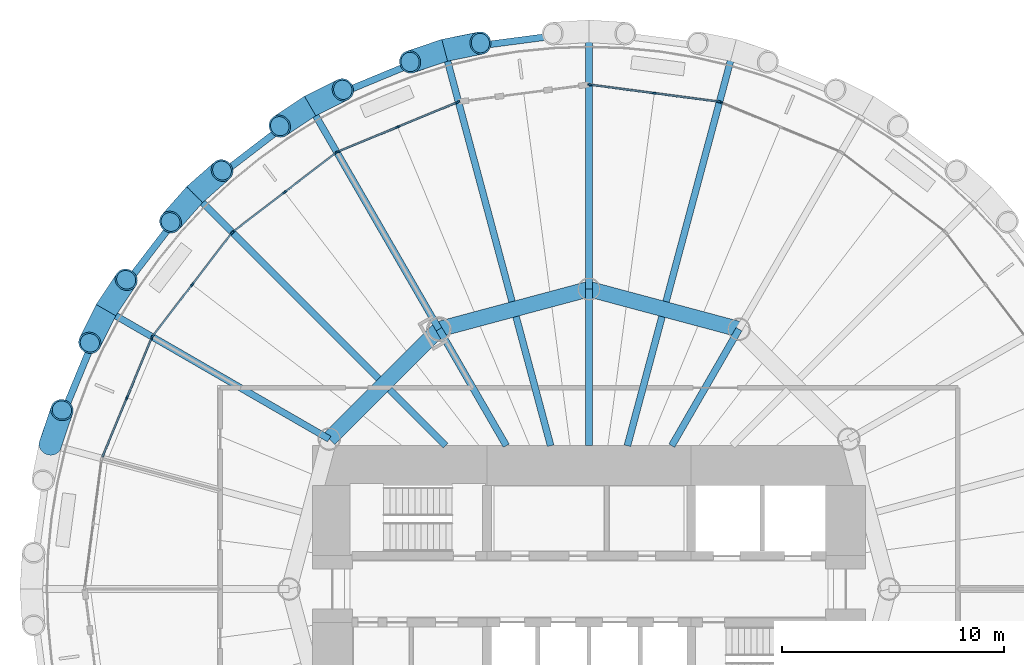
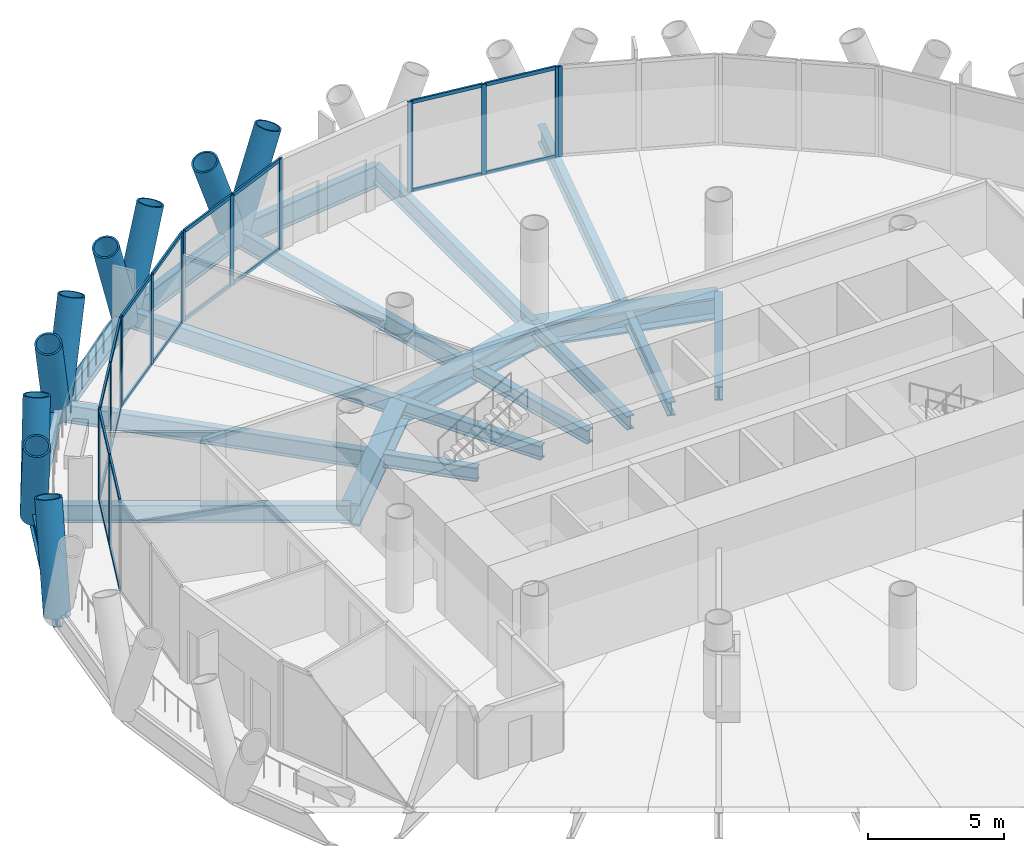
# One storey, part 5 of 14: 44 members, 20 beams, 6 elements without a shape of their own.
"""IFC4 building model written with IfcOpenShell, lengths in metres."""

from ifc_helpers import new_model, si_unit, direction, frame, origin, origin_2d, place, context, subcontext, project, spatial, rectangle, hollow_circle, i_section, extrude, material, material_profile, profile_set, type_object, element, aggregate, save


model = new_model("IFC4")

# Units and contexts
model_context = context("Model", 3, precision=1e-05, world=origin(), true_north=direction((0.0, 1.0)))
body_context = subcontext(model_context, "Body", "Model", "MODEL_VIEW")
ifc_project = project(units=[si_unit("LENGTHUNIT", "METRE"), si_unit("AREAUNIT", "SQUARE_METRE"), si_unit("VOLUMEUNIT", "CUBIC_METRE"), si_unit("PLANEANGLEUNIT", "RADIAN"), si_unit("MASSUNIT", "GRAM", prefix="KILO")], contexts=[model_context])

# Site, building, storey
site_placement = place(None, origin())
site = spatial("IfcSite", under=ifc_project, at=site_placement, CompositionType="ELEMENT")
building_placement = place(site_placement, origin())
building = spatial("IfcBuilding", under=site, at=building_placement, Name="Qaws Media Tower", CompositionType="ELEMENT")
storey_placement = place(building_placement, frame((0.0, 0.0, 126.800048828125)))
storey = spatial("IfcBuildingStorey", under=building, at=storey_placement, Name="L28", CompositionType="ELEMENT", Elevation=126.800048828125)

# Curtain wall, member
ifc_material_1 = material(Name="Aluminium and clear glass", Category="aluminium")
curtain_wall_type = type_object("IfcCurtainWallType", Name="Unitised curtain wall CW-B", PredefinedType="NOTDEFINED", material=ifc_material_1)
curtain_wall_1_placement = place(storey_placement, origin())
curtain_wall_1 = element("IfcCurtainWall", 1, at=curtain_wall_1_placement, inside=storey, type_object=curtain_wall_type, Name="CWB curtain wall L28-05", PredefinedType="NOTDEFINED")
ifc_material_2 = material(Name="Aluminium mullion", Category="aluminium")
ifc_material_profile_1 = material_profile(ifc_material_2, rectangle(XDim=0.080078125, YDim=0.199951171875, at=origin_2d()), Name="80x200")
ifc_profile_set_1 = profile_set([ifc_material_profile_1], Name="Aluminium mullion")
member_type_1 = type_object("IfcMemberType", Name="Curtain wall mullion 80x200", PredefinedType="MULLION", material=ifc_profile_set_1)
member_1_placement = place(storey_placement, frame((65.912109375, 71.9111328125, 0.0), z_axis=(0.0, 0.0, 1.0), x_axis=(-0.382683327941, -0.923879575765, 0.0)))
member_1 = element("IfcMember", 2, at=member_1_placement, type_object=member_type_1, Name="CWB mullion 3", PredefinedType="MULLION", context=body_context, shape_type="SweptSolid", body=[
    extrude(rectangle(XDim=0.080078125, YDim=0.199951171875, at=origin_2d()), origin(), (0.0, 0.0, 1.0), 4.0400390625),
])
aggregate(curtain_wall_1, [member_1])

# Curtain wall, members
curtain_wall_2_placement = place(storey_placement, origin())
curtain_wall_2 = element("IfcCurtainWall", 3, at=curtain_wall_2_placement, inside=storey, type_object=curtain_wall_type, Name="CWB curtain wall L28-06", PredefinedType="NOTDEFINED")
member_2_placement = place(storey_placement, frame((65.83544921875, 71.931640625, 0.0), z_axis=(0.0, 0.0, 1.0), x_axis=(-0.130526241882, -0.991444854836, 0.0)))
member_2 = element("IfcMember", 4, at=member_2_placement, type_object=member_type_1, Name="CWB mullion 1", PredefinedType="MULLION", context=body_context, shape_type="SweptSolid", body=[
    extrude(rectangle(XDim=0.080078125, YDim=0.199951171875, at=origin_2d()), origin(), (0.0, 0.0, 1.0), 4.0400390625),
])
member_3_placement = place(storey_placement, frame((62.9375, 72.313232421875, 0.0), z_axis=(0.0, 0.0, 1.0), x_axis=(-0.130526241882, -0.991444854836, 0.0)))
member_3 = element("IfcMember", 5, at=member_3_placement, type_object=member_type_1, Name="CWB mullion 2", PredefinedType="MULLION", context=body_context, shape_type="SweptSolid", body=[
    extrude(rectangle(XDim=0.080078125, YDim=0.199951171875, at=origin_2d()), origin(), (0.0, 0.0, 1.0), 4.0400390625),
])
member_4_placement = place(storey_placement, frame((60.03955078125, 72.69482421875, 0.0), z_axis=(0.0, 0.0, 1.0), x_axis=(-0.130526241882, -0.991444854836, 0.0)))
member_4 = element("IfcMember", 6, at=member_4_placement, type_object=member_type_1, Name="CWB mullion 3", PredefinedType="MULLION", context=body_context, shape_type="SweptSolid", body=[
    extrude(rectangle(XDim=0.080078125, YDim=0.199951171875, at=origin_2d()), origin(), (0.0, 0.0, 1.0), 4.0400390625),
])

curtain_wall_3_placement = place(storey_placement, origin())
curtain_wall_3 = element("IfcCurtainWall", 7, at=curtain_wall_3_placement, inside=storey, type_object=curtain_wall_type, Name="CWB curtain wall L28-08", PredefinedType="NOTDEFINED")
member_5_placement = place(storey_placement, frame((54.087890625, 71.9111328125, 0.0), z_axis=(0.0, 0.0, 1.0), x_axis=(0.382683327941, -0.923879575765, 0.0)))
member_5 = element("IfcMember", 8, at=member_5_placement, type_object=member_type_1, Name="CWB mullion 1", PredefinedType="MULLION", context=body_context, shape_type="SweptSolid", body=[
    extrude(rectangle(XDim=0.080078125, YDim=0.199951171875, at=origin_2d()), origin(), (0.0, 0.0, 1.0), 4.0400390625),
])
member_6_placement = place(storey_placement, frame((51.387451171875, 70.792724609375, 0.0), z_axis=(0.0, 0.0, 1.0), x_axis=(0.382683327941, -0.923879575765, 0.0)))
member_6 = element("IfcMember", 9, at=member_6_placement, type_object=member_type_1, Name="CWB mullion 2", PredefinedType="MULLION", context=body_context, shape_type="SweptSolid", body=[
    extrude(rectangle(XDim=0.080078125, YDim=0.199951171875, at=origin_2d()), origin(), (0.0, 0.0, 1.0), 4.0400390625),
])
member_7_placement = place(storey_placement, frame((48.68701171875, 69.674072265625, 0.0), z_axis=(0.0, 0.0, 1.0), x_axis=(0.382683327941, -0.923879575765, 0.0)))
member_7 = element("IfcMember", 10, at=member_7_placement, type_object=member_type_1, Name="CWB mullion 3", PredefinedType="MULLION", context=body_context, shape_type="SweptSolid", body=[
    extrude(rectangle(XDim=0.080078125, YDim=0.199951171875, at=origin_2d()), origin(), (0.0, 0.0, 1.0), 4.0400390625),
])

curtain_wall_4_placement = place(storey_placement, origin())
curtain_wall_4 = element("IfcCurtainWall", 11, at=curtain_wall_4_placement, inside=storey, type_object=curtain_wall_type, Name="CWB curtain wall L28-09", PredefinedType="NOTDEFINED")
member_8_placement = place(storey_placement, frame((48.6181640625, 69.634521484375, 0.0), z_axis=(0.0, 0.0, 1.0), x_axis=(0.608761451911, -0.793353322718, 0.0)))
member_8 = element("IfcMember", 12, at=member_8_placement, type_object=member_type_1, Name="CWB mullion 1", PredefinedType="MULLION", context=body_context, shape_type="SweptSolid", body=[
    extrude(rectangle(XDim=0.080078125, YDim=0.199951171875, at=origin_2d()), origin(), (0.0, 0.0, 1.0), 4.0400390625),
])
member_9_placement = place(storey_placement, frame((46.29931640625, 67.85498046875, 0.0), z_axis=(0.0, 0.0, 1.0), x_axis=(0.608761451911, -0.793353322718, 0.0)))
member_9 = element("IfcMember", 13, at=member_9_placement, type_object=member_type_1, Name="CWB mullion 2", PredefinedType="MULLION", context=body_context, shape_type="SweptSolid", body=[
    extrude(rectangle(XDim=0.080078125, YDim=0.199951171875, at=origin_2d()), origin(), (0.0, 0.0, 1.0), 4.0400390625),
])
member_10_placement = place(storey_placement, frame((43.98046875, 66.07568359375, 0.0), z_axis=(0.0, 0.0, 1.0), x_axis=(0.608761451911, -0.793353322718, 0.0)))
member_10 = element("IfcMember", 14, at=member_10_placement, type_object=member_type_1, Name="CWB mullion 3", PredefinedType="MULLION", context=body_context, shape_type="SweptSolid", body=[
    extrude(rectangle(XDim=0.080078125, YDim=0.199951171875, at=origin_2d()), origin(), (0.0, 0.0, 1.0), 4.0400390625),
])

curtain_wall_5_placement = place(storey_placement, origin())
curtain_wall_5 = element("IfcCurtainWall", 15, at=curtain_wall_5_placement, inside=storey, type_object=curtain_wall_type, Name="CWB curtain wall L28-10", PredefinedType="NOTDEFINED")
member_11_placement = place(storey_placement, frame((43.92431640625, 66.01953125, 0.0), z_axis=(0.0, 0.0, 1.0), x_axis=(0.793353322718, -0.608761451911, 0.0)))
member_11 = element("IfcMember", 16, at=member_11_placement, type_object=member_type_1, Name="CWB mullion 1", PredefinedType="MULLION", context=body_context, shape_type="SweptSolid", body=[
    extrude(rectangle(XDim=0.080078125, YDim=0.199951171875, at=origin_2d()), origin(), (0.0, 0.0, 1.0), 4.0400390625),
])
member_12_placement = place(storey_placement, frame((42.14501953125, 63.70068359375, 0.0), z_axis=(0.0, 0.0, 1.0), x_axis=(0.793353322718, -0.608761451911, 0.0)))
member_12 = element("IfcMember", 17, at=member_12_placement, type_object=member_type_1, Name="CWB mullion 2", PredefinedType="MULLION", context=body_context, shape_type="SweptSolid", body=[
    extrude(rectangle(XDim=0.080078125, YDim=0.199951171875, at=origin_2d()), origin(), (0.0, 0.0, 1.0), 4.0400390625),
])
member_13_placement = place(storey_placement, frame((40.365478515625, 61.3818359375, 0.0), z_axis=(0.0, 0.0, 1.0), x_axis=(0.793353322718, -0.608761451911, 0.0)))
member_13 = element("IfcMember", 18, at=member_13_placement, type_object=member_type_1, Name="CWB mullion 3", PredefinedType="MULLION", context=body_context, shape_type="SweptSolid", body=[
    extrude(rectangle(XDim=0.080078125, YDim=0.199951171875, at=origin_2d()), origin(), (0.0, 0.0, 1.0), 4.0400390625),
])

curtain_wall_6_placement = place(storey_placement, origin())
curtain_wall_6 = element("IfcCurtainWall", 19, at=curtain_wall_6_placement, inside=storey, type_object=curtain_wall_type, Name="CWB curtain wall L28-11", PredefinedType="NOTDEFINED")
member_14_placement = place(storey_placement, frame((40.325927734375, 61.31298828125, 0.0), z_axis=(0.0, 0.0, 1.0), x_axis=(0.923879575765, -0.382683327941, 0.0)))
member_14 = element("IfcMember", 20, at=member_14_placement, type_object=member_type_1, Name="CWB mullion 1", PredefinedType="MULLION", context=body_context, shape_type="SweptSolid", body=[
    extrude(rectangle(XDim=0.080078125, YDim=0.199951171875, at=origin_2d()), origin(), (0.0, 0.0, 1.0), 4.0400390625),
])
member_15_placement = place(storey_placement, frame((39.207275390625, 58.612548828125, 0.0), z_axis=(0.0, 0.0, 1.0), x_axis=(0.923879575765, -0.382683327941, 0.0)))
member_15 = element("IfcMember", 21, at=member_15_placement, type_object=member_type_1, Name="CWB mullion 2", PredefinedType="MULLION", context=body_context, shape_type="SweptSolid", body=[
    extrude(rectangle(XDim=0.080078125, YDim=0.199951171875, at=origin_2d()), origin(), (0.0, 0.0, 1.0), 4.0400390625),
])

# Member
ifc_material_3 = material(Name="Aluminium transom", Category="aluminium")
ifc_material_profile_2 = material_profile(ifc_material_3, rectangle(XDim=0.080078125, YDim=0.159912109375, at=origin_2d()), Name="80x160")
ifc_profile_set_2 = profile_set([ifc_material_profile_2], Name="Aluminium transom")
member_type_2 = type_object("IfcMemberType", Name="Curtain wall transom 80x160", PredefinedType="USERDEFINED", material=ifc_profile_set_2)
member_16_placement = place(storey_placement, frame((65.7958984375, 71.93701171875, 0.0400390625), z_axis=(-0.991444062143, 0.130532262837, 0.0), x_axis=(-0.130532262837, -0.991444062143, 0.0)))
member_16 = element("IfcMember", 22, at=member_16_placement, type_object=member_type_2, Name="CWB transom 1.1", ObjectType="TRANSOM", PredefinedType="USERDEFINED", context=body_context, shape_type="SweptSolid", body=[
    extrude(rectangle(XDim=0.080078125, YDim=0.159912109375, at=origin_2d()), origin(), (0.0, 0.0, 1.0), 2.843017578125),
])

member_17_placement = place(storey_placement, frame((65.7958984375, 71.93701171875, 4.0), z_axis=(-0.991444062143, 0.130532262837, 0.0), x_axis=(-0.130532262837, -0.991444062143, 0.0)))
member_17 = element("IfcMember", 23, at=member_17_placement, type_object=member_type_2, Name="CWB transom 1.2", ObjectType="TRANSOM", PredefinedType="USERDEFINED", context=body_context, shape_type="SweptSolid", body=[
    extrude(rectangle(XDim=0.080078125, YDim=0.159912109375, at=origin_2d()), origin(), (0.0, 0.0, 1.0), 2.843017578125),
])

member_18_placement = place(storey_placement, frame((62.89794921875, 72.318359375, 0.0400390625), z_axis=(-0.991444062143, 0.130532262837, 0.0), x_axis=(-0.130532262837, -0.991444062143, 0.0)))
member_18 = element("IfcMember", 24, at=member_18_placement, type_object=member_type_2, Name="CWB transom 2.1", ObjectType="TRANSOM", PredefinedType="USERDEFINED", context=body_context, shape_type="SweptSolid", body=[
    extrude(rectangle(XDim=0.080078125, YDim=0.159912109375, at=origin_2d()), origin(), (0.0, 0.0, 1.0), 2.843017578125),
])

member_19_placement = place(storey_placement, frame((62.89794921875, 72.318359375, 4.0), z_axis=(-0.991444062143, 0.130532262837, 0.0), x_axis=(-0.130532262837, -0.991444062143, 0.0)))
member_19 = element("IfcMember", 25, at=member_19_placement, type_object=member_type_2, Name="CWB transom 2.2", ObjectType="TRANSOM", PredefinedType="USERDEFINED", context=body_context, shape_type="SweptSolid", body=[
    extrude(rectangle(XDim=0.080078125, YDim=0.159912109375, at=origin_2d()), origin(), (0.0, 0.0, 1.0), 2.843017578125),
])

aggregate(curtain_wall_2, [member_2, member_3, member_4, member_16, member_17, member_18, member_19])

member_20_placement = place(storey_placement, frame((54.05078125, 71.89599609375, 0.0400390625), z_axis=(-0.923852493232, -0.382748704437, 0.0), x_axis=(0.382748704437, -0.923852493232, 0.0)))
member_20 = element("IfcMember", 26, at=member_20_placement, type_object=member_type_2, Name="CWB transom 1.1", ObjectType="TRANSOM", PredefinedType="USERDEFINED", context=body_context, shape_type="SweptSolid", body=[
    extrude(rectangle(XDim=0.080078125, YDim=0.159912109375, at=origin_2d()), origin(), (0.0, 0.0, 1.0), 2.843017578125),
])

member_21_placement = place(storey_placement, frame((54.05078125, 71.89599609375, 4.0), z_axis=(-0.923852493232, -0.382748704437, 0.0), x_axis=(0.382748704437, -0.923852493232, 0.0)))
member_21 = element("IfcMember", 27, at=member_21_placement, type_object=member_type_2, Name="CWB transom 1.2", ObjectType="TRANSOM", PredefinedType="USERDEFINED", context=body_context, shape_type="SweptSolid", body=[
    extrude(rectangle(XDim=0.080078125, YDim=0.159912109375, at=origin_2d()), origin(), (0.0, 0.0, 1.0), 2.843017578125),
])

member_22_placement = place(storey_placement, frame((51.350341796875, 70.77734375, 0.0400390625), z_axis=(-0.923882857314, -0.382675405483, 0.0), x_axis=(0.382675405483, -0.923882857314, 0.0)))
member_22 = element("IfcMember", 28, at=member_22_placement, type_object=member_type_2, Name="CWB transom 2.1", ObjectType="TRANSOM", PredefinedType="USERDEFINED", context=body_context, shape_type="SweptSolid", body=[
    extrude(rectangle(XDim=0.080078125, YDim=0.159912109375, at=origin_2d()), origin(), (0.0, 0.0, 1.0), 2.8427734375),
])

member_23_placement = place(storey_placement, frame((51.350341796875, 70.77734375, 4.0), z_axis=(-0.923882857314, -0.382675405483, 0.0), x_axis=(0.382675405483, -0.923882857314, 0.0)))
member_23 = element("IfcMember", 29, at=member_23_placement, type_object=member_type_2, Name="CWB transom 2.2", ObjectType="TRANSOM", PredefinedType="USERDEFINED", context=body_context, shape_type="SweptSolid", body=[
    extrude(rectangle(XDim=0.080078125, YDim=0.159912109375, at=origin_2d()), origin(), (0.0, 0.0, 1.0), 2.8427734375),
])

aggregate(curtain_wall_3, [member_5, member_6, member_7, member_20, member_21, member_22, member_23])

member_24_placement = place(storey_placement, frame((48.58642578125, 69.610107421875, 0.0400390625), z_axis=(-0.79333536919, -0.608784848689, 0.0), x_axis=(0.608784848689, -0.79333536919, 0.0)))
member_24 = element("IfcMember", 30, at=member_24_placement, type_object=member_type_2, Name="CWB transom 1.1", ObjectType="TRANSOM", PredefinedType="USERDEFINED", context=body_context, shape_type="SweptSolid", body=[
    extrude(rectangle(XDim=0.080078125, YDim=0.159912109375, at=origin_2d()), origin(), (0.0, 0.0, 1.0), 2.843017578125),
])

member_25_placement = place(storey_placement, frame((48.58642578125, 69.610107421875, 4.0), z_axis=(-0.79333536919, -0.608784848689, 0.0), x_axis=(0.608784848689, -0.79333536919, 0.0)))
member_25 = element("IfcMember", 31, at=member_25_placement, type_object=member_type_2, Name="CWB transom 1.2", ObjectType="TRANSOM", PredefinedType="USERDEFINED", context=body_context, shape_type="SweptSolid", body=[
    extrude(rectangle(XDim=0.080078125, YDim=0.159912109375, at=origin_2d()), origin(), (0.0, 0.0, 1.0), 2.843017578125),
])

member_26_placement = place(storey_placement, frame((46.267578125, 67.830810546875, 0.0400390625), z_axis=(-0.79333536919, -0.608784848689, 0.0), x_axis=(0.608784848689, -0.79333536919, 0.0)))
member_26 = element("IfcMember", 32, at=member_26_placement, type_object=member_type_2, Name="CWB transom 2.1", ObjectType="TRANSOM", PredefinedType="USERDEFINED", context=body_context, shape_type="SweptSolid", body=[
    extrude(rectangle(XDim=0.080078125, YDim=0.159912109375, at=origin_2d()), origin(), (0.0, 0.0, 1.0), 2.843017578125),
])

member_27_placement = place(storey_placement, frame((46.267578125, 67.830810546875, 4.0), z_axis=(-0.79333536919, -0.608784848689, 0.0), x_axis=(0.608784848689, -0.79333536919, 0.0)))
member_27 = element("IfcMember", 33, at=member_27_placement, type_object=member_type_2, Name="CWB transom 2.2", ObjectType="TRANSOM", PredefinedType="USERDEFINED", context=body_context, shape_type="SweptSolid", body=[
    extrude(rectangle(XDim=0.080078125, YDim=0.159912109375, at=origin_2d()), origin(), (0.0, 0.0, 1.0), 2.843017578125),
])

aggregate(curtain_wall_4, [member_8, member_9, member_10, member_24, member_25, member_26, member_27])

member_28_placement = place(storey_placement, frame((43.89990234375, 65.98779296875, 0.0400390625), z_axis=(-0.608784848689, -0.79333536919, 0.0), x_axis=(0.79333536919, -0.608784848689, 0.0)))
member_28 = element("IfcMember", 34, at=member_28_placement, type_object=member_type_2, Name="CWB transom 1.1", ObjectType="TRANSOM", PredefinedType="USERDEFINED", context=body_context, shape_type="SweptSolid", body=[
    extrude(rectangle(XDim=0.080078125, YDim=0.159912109375, at=origin_2d()), origin(), (0.0, 0.0, 1.0), 2.843017578125),
])

member_29_placement = place(storey_placement, frame((43.89990234375, 65.98779296875, 4.0), z_axis=(-0.608784848689, -0.79333536919, 0.0), x_axis=(0.79333536919, -0.608784848689, 0.0)))
member_29 = element("IfcMember", 35, at=member_29_placement, type_object=member_type_2, Name="CWB transom 1.2", ObjectType="TRANSOM", PredefinedType="USERDEFINED", context=body_context, shape_type="SweptSolid", body=[
    extrude(rectangle(XDim=0.080078125, YDim=0.159912109375, at=origin_2d()), origin(), (0.0, 0.0, 1.0), 2.843017578125),
])

member_30_placement = place(storey_placement, frame((42.12060546875, 63.6689453125, 0.0400390625), z_axis=(-0.608784848689, -0.79333536919, 0.0), x_axis=(0.79333536919, -0.608784848689, 0.0)))
member_30 = element("IfcMember", 36, at=member_30_placement, type_object=member_type_2, Name="CWB transom 2.1", ObjectType="TRANSOM", PredefinedType="USERDEFINED", context=body_context, shape_type="SweptSolid", body=[
    extrude(rectangle(XDim=0.080078125, YDim=0.159912109375, at=origin_2d()), origin(), (0.0, 0.0, 1.0), 2.843017578125),
])

member_31_placement = place(storey_placement, frame((42.12060546875, 63.6689453125, 4.0), z_axis=(-0.608784848689, -0.79333536919, 0.0), x_axis=(0.79333536919, -0.608784848689, 0.0)))
member_31 = element("IfcMember", 37, at=member_31_placement, type_object=member_type_2, Name="CWB transom 2.2", ObjectType="TRANSOM", PredefinedType="USERDEFINED", context=body_context, shape_type="SweptSolid", body=[
    extrude(rectangle(XDim=0.080078125, YDim=0.159912109375, at=origin_2d()), origin(), (0.0, 0.0, 1.0), 2.843017578125),
])

aggregate(curtain_wall_5, [member_11, member_12, member_13, member_28, member_29, member_30, member_31])

member_32_placement = place(storey_placement, frame((40.310546875, 61.276123046875, 0.0400390625), z_axis=(-0.382675405483, -0.923882857314, 0.0), x_axis=(0.923882857314, -0.382675405483, 0.0)))
member_32 = element("IfcMember", 38, at=member_32_placement, type_object=member_type_2, Name="CWB transom 1.1", ObjectType="TRANSOM", PredefinedType="USERDEFINED", context=body_context, shape_type="SweptSolid", body=[
    extrude(rectangle(XDim=0.080078125, YDim=0.159912109375, at=origin_2d()), origin(), (0.0, 0.0, 1.0), 2.8427734375),
])

member_33_placement = place(storey_placement, frame((40.310546875, 61.276123046875, 4.0), z_axis=(-0.382675405483, -0.923882857314, 0.0), x_axis=(0.923882857314, -0.382675405483, 0.0)))
member_33 = element("IfcMember", 39, at=member_33_placement, type_object=member_type_2, Name="CWB transom 1.2", ObjectType="TRANSOM", PredefinedType="USERDEFINED", context=body_context, shape_type="SweptSolid", body=[
    extrude(rectangle(XDim=0.080078125, YDim=0.159912109375, at=origin_2d()), origin(), (0.0, 0.0, 1.0), 2.8427734375),
])

member_34_placement = place(storey_placement, frame((39.192138671875, 58.57568359375, 0.0400390625), z_axis=(-0.382748704437, -0.923852493232, 0.0), x_axis=(0.923852493232, -0.382748704437, 0.0)))
member_34 = element("IfcMember", 40, at=member_34_placement, type_object=member_type_2, Name="CWB transom 2.1", ObjectType="TRANSOM", PredefinedType="USERDEFINED", context=body_context, shape_type="SweptSolid", body=[
    extrude(rectangle(XDim=0.080078125, YDim=0.159912109375, at=origin_2d()), origin(), (0.0, 0.0, 1.0), 2.843017578125),
])

member_35_placement = place(storey_placement, frame((39.192138671875, 58.57568359375, 4.0), z_axis=(-0.382748704437, -0.923852493232, 0.0), x_axis=(0.923852493232, -0.382748704437, 0.0)))
member_35 = element("IfcMember", 41, at=member_35_placement, type_object=member_type_2, Name="CWB transom 2.2", ObjectType="TRANSOM", PredefinedType="USERDEFINED", context=body_context, shape_type="SweptSolid", body=[
    extrude(rectangle(XDim=0.080078125, YDim=0.159912109375, at=origin_2d()), origin(), (0.0, 0.0, 1.0), 2.843017578125),
])

aggregate(curtain_wall_6, [member_14, member_15, member_32, member_33, member_34, member_35])

# Members
ifc_material_4 = material(Name="Steel S460", Category="steel")
ifc_material_profile_3 = material_profile(ifc_material_4, hollow_circle(Radius=0.508056640625, WallThickness=0.070068359375, at=origin_2d()), Name="CHS 1016x70")
ifc_profile_set_3 = profile_set([ifc_material_profile_3], Name="Steel S460")
member_type_3 = type_object("IfcMemberType", Name="Diagrid member CHS 1016x70", PredefinedType="USERDEFINED", material=ifc_profile_set_3)
for number, where, z_axis, x_axis, name in (
    (42, (53.503662109375, 74.24462890625, -0.6640625), (-0.34498681784, -0.11618670921, 0.931388610688), (0.319171064063, -0.947697120321, 0.0), "DG3 diagrid L28 A08"),
    (43, (53.503662109375, 74.24462890625, -0.6640625), (0.356893826491, 0.071844373142, 0.931378109395), (-0.197345745425, 0.980333951652, 0.0), "DG3 diagrid L28 B08"),
    (44, (47.449951171875, 71.7373046875, -0.6640625), (-0.303134967423, -0.201566616131, 0.931386112623), (0.553704483539, -0.832713242905, 0.0), "DG3 diagrid L28 A09"),
    (45, (47.449951171875, 71.7373046875, -0.6640625), (0.326144274336, 0.161718616773, 0.931384454083), (-0.444236655494, 0.895909478639, 0.0), "DG3 diagrid L28 B09"),
    (46, (42.251708984375, 67.748291015625, -0.6640625), (-0.240656171332, -0.273140693896, 0.931385402794), (0.750315083138, -0.661080385441, 0.0), "DG3 diagrid L28 A10"),
    (47, (42.251708984375, 67.748291015625, -0.6640625), (0.273140693896, 0.240656171332, 0.931385402794), (-0.661080385441, 0.750315083138, 0.0), "DG3 diagrid L28 B10"),
    (48, (38.2626953125, 62.550048828125, -0.6640625), (-0.161718616773, -0.326144274336, 0.931384454083), (0.895909478639, -0.444236655494, 0.0), "DG3 diagrid L28 A11"),
    (49, (38.2626953125, 62.550048828125, -0.6640625), (0.201566616131, 0.303134967423, 0.931386112623), (-0.832713242905, 0.553704483539, 0.0), "DG3 diagrid L28 B11"),
    (50, (35.75537109375, 56.496337890625, -0.6640625), (0.11618670921, 0.34498681784, 0.931388610688), (-0.947697120321, 0.319171064063, 0.0), "DG3 diagrid L28 B12"),
):
    element("IfcMember", number, at=place(storey_placement, frame(where, z_axis=z_axis, x_axis=x_axis)), inside=storey, type_object=member_type_3, Name=name, ObjectType="DIAGRID", PredefinedType="USERDEFINED", context=body_context, shape_type="SweptSolid", body=[
        extrude(hollow_circle(Radius=0.508056640625, WallThickness=0.070068359375, at=origin_2d()), origin(), (0.0, 0.0, 1.0), 4.50927734375),
    ])

# Beams
ifc_material_5 = material(Name="Steel S460", Category="steel")
ifc_material_profile_4 = material_profile(ifc_material_5, i_section(OverallWidth=0.302001953125, OverallDepth=1.008056640625, WebThickness=0.02099609375, FlangeThickness=0.0400390625, FilletRadius=0.030029296875, at=origin_2d()), Name="HE 1000 M")
ifc_profile_set_4 = profile_set([ifc_material_profile_4], Name="Steel S460")
beam_type_1 = type_object("IfcBeamType", Name="Edge ring beam HE 1000 M", PredefinedType="BEAM", material=ifc_profile_set_4)
for number, where, z_axis, x_axis, name in (
    (51, (60.0, 75.10009765625, -0.6640625), (-0.991440720481, -0.130557641571, 0.0), (0.130557641571, -0.991440720481, 0.0), "RB3 edge ring beam L28-07"),
    (52, (53.503662109375, 74.24462890625, -0.6640625), (-0.923890590997, -0.382656733729, 0.0), (0.382656733729, -0.923890590997, 0.0), "RB3 edge ring beam L28-08"),
    (53, (47.449951171875, 71.7373046875, -0.6640625), (-0.793334017296, -0.608786610398, 0.0), (0.608786610398, -0.793334017296, 0.0), "RB3 edge ring beam L28-09"),
    (54, (42.251708984375, 67.748291015625, -0.6640625), (-0.608786610398, -0.793334017296, 0.0), (0.793334017296, -0.608786610398, 0.0), "RB3 edge ring beam L28-10"),
    (55, (38.2626953125, 62.550048828125, -0.6640625), (-0.382656733729, -0.923890590997, 0.0), (0.923890590997, -0.382656733729, 0.0), "RB3 edge ring beam L28-11"),
):
    element("IfcBeam", number, at=place(storey_placement, frame(where, z_axis=z_axis, x_axis=x_axis)), inside=storey, type_object=beam_type_1, Name=name, PredefinedType="BEAM", context=body_context, shape_type="SweptSolid", body=[
        extrude(i_section(OverallWidth=0.302001953125, OverallDepth=1.008056640625, WebThickness=0.02099609375, FlangeThickness=0.0400390625, FilletRadius=0.030029296875, at=origin_2d()), origin(), (0.0, 0.0, 1.0), 6.552490234375),
    ])
ifc_material_6 = material(Name="Steel S460", Category="steel")
ifc_material_profile_5 = material_profile(ifc_material_6, i_section(OverallWidth=0.699951171875, OverallDepth=1.0, WebThickness=0.034912109375, FlangeThickness=0.090087890625, at=origin_2d()), Name="PG 1000x700")
ifc_profile_set_5 = profile_set([ifc_material_profile_5], Name="Steel S460")
beam_type_2 = type_object("IfcBeamType", Name="Inner ring girder PG 1000x700", PredefinedType="BEAM", material=ifc_profile_set_5)
for number, where, z_axis, x_axis, name in (
    (56, (66.75, 61.69140625, -0.66015625), (-0.965928090778, 0.258810593767, 0.0), (-0.258810593767, -0.965928090778, 0.0), "B3 inner ring beam L28 I03-I04"),
    (57, (60.0, 63.5, -0.66015625), (-0.965928090778, -0.258810593767, 0.0), (0.258810593767, -0.965928090778, 0.0), "B3 inner ring beam L28 I04-I05"),
):
    element("IfcBeam", number, at=place(storey_placement, frame(where, z_axis=z_axis, x_axis=x_axis)), inside=storey, type_object=beam_type_2, Name=name, PredefinedType="BEAM", context=body_context, shape_type="SweptSolid", body=[
        extrude(i_section(OverallWidth=0.699951171875, OverallDepth=1.0, WebThickness=0.034912109375, FlangeThickness=0.090087890625, at=origin_2d()), origin(), (0.0, 0.0, 1.0), 6.988037109375),
    ])
beam_1_placement = place(storey_placement, frame((53.25, 61.69140625, -0.66015625), z_axis=(-0.707106781187, -0.707106781187, 0.0), x_axis=(0.707106781187, -0.707106781187, 0.0)))
element("IfcBeam", 58, at=beam_1_placement, inside=storey, type_object=beam_type_2, Name="B3 inner ring beam L28 I05-I06", PredefinedType="BEAM", context=body_context, shape_type="SweptSolid", body=[
    extrude(i_section(OverallWidth=0.699951171875, OverallDepth=1.0, WebThickness=0.034912109375, FlangeThickness=0.090087890625, at=origin_2d()), origin(), (0.0, 0.0, 1.0), 6.98828125),
])
ifc_material_7 = material(Name="Steel S355", Category="steel")
ifc_material_profile_6 = material_profile(ifc_material_7, i_section(OverallWidth=0.304931640625, OverallDepth=0.6201171875, WebThickness=0.02099609375, FlangeThickness=0.0400390625, FilletRadius=0.027099609375, at=origin_2d()), Name="HE 600 M")
ifc_profile_set_6 = profile_set([ifc_material_profile_6], Name="Steel S355")
beam_type_3 = type_object("IfcBeamType", Name="Radial beam HE 600 M, core side", PredefinedType="BEAM", material=ifc_profile_set_6)
beam_2_placement = place(storey_placement, frame((63.723876953125, 56.449951171875, -0.469970703125), z_axis=(0.499995978368, 0.866027725662, 0.0), x_axis=(-0.866027725662, 0.499995978368, 0.0)))
element("IfcBeam", 59, at=beam_2_placement, inside=storey, type_object=beam_type_3, Name="B2 radial beam L28 05", PredefinedType="BEAM", context=body_context, shape_type="SweptSolid", body=[
    extrude(i_section(OverallWidth=0.304931640625, OverallDepth=0.6201171875, WebThickness=0.02099609375, FlangeThickness=0.0400390625, FilletRadius=0.027099609375, at=origin_2d()), origin(), (0.0, 0.0, 1.0), 6.05224609375),
])
beam_3_placement = place(storey_placement, frame((61.728271484375, 56.449951171875, -0.469970703125), z_axis=(0.258819977482, 0.965925576458, 0.0), x_axis=(-0.965925576458, 0.258819977482, 0.0)))
element("IfcBeam", 60, at=beam_3_placement, inside=storey, type_object=beam_type_3, Name="B2 radial beam L28 06", PredefinedType="BEAM", context=body_context, shape_type="SweptSolid", body=[
    extrude(i_section(OverallWidth=0.304931640625, OverallDepth=0.6201171875, WebThickness=0.02099609375, FlangeThickness=0.0400390625, FilletRadius=0.027099609375, at=origin_2d()), origin(), (0.0, 0.0, 1.0), 6.012451171875),
])
beam_4_placement = place(storey_placement, frame((60.0, 56.449951171875, -0.469970703125), z_axis=(0.0, 1.0, 0.0), x_axis=(-1.0, 0.0, 0.0)))
element("IfcBeam", 61, at=beam_4_placement, inside=storey, type_object=beam_type_3, Name="B2 radial beam L28 07", PredefinedType="BEAM", context=body_context, shape_type="SweptSolid", body=[
    extrude(i_section(OverallWidth=0.304931640625, OverallDepth=0.6201171875, WebThickness=0.02099609375, FlangeThickness=0.0400390625, FilletRadius=0.027099609375, at=origin_2d()), origin(), (0.0, 0.0, 1.0), 7.050048828125),
])
beam_5_placement = place(storey_placement, frame((58.271728515625, 56.449951171875, -0.469970703125), z_axis=(-0.258819977482, 0.965925576458, 0.0), x_axis=(-0.965925576458, -0.258819977482, 0.0)))
element("IfcBeam", 62, at=beam_5_placement, inside=storey, type_object=beam_type_3, Name="B2 radial beam L28 08", PredefinedType="BEAM", context=body_context, shape_type="SweptSolid", body=[
    extrude(i_section(OverallWidth=0.304931640625, OverallDepth=0.6201171875, WebThickness=0.02099609375, FlangeThickness=0.0400390625, FilletRadius=0.027099609375, at=origin_2d()), origin(), (0.0, 0.0, 1.0), 6.012451171875),
])
beam_6_placement = place(storey_placement, frame((56.276123046875, 56.449951171875, -0.469970703125), z_axis=(-0.499995978368, 0.866027725662, 0.0), x_axis=(-0.866027725662, -0.499995978368, 0.0)))
element("IfcBeam", 63, at=beam_6_placement, inside=storey, type_object=beam_type_3, Name="B2 radial beam L28 09", PredefinedType="BEAM", context=body_context, shape_type="SweptSolid", body=[
    extrude(i_section(OverallWidth=0.304931640625, OverallDepth=0.6201171875, WebThickness=0.02099609375, FlangeThickness=0.0400390625, FilletRadius=0.027099609375, at=origin_2d()), origin(), (0.0, 0.0, 1.0), 6.05224609375),
])
beam_7_placement = place(storey_placement, frame((53.550048828125, 56.449951171875, -0.469970703125), z_axis=(-0.707106781187, 0.707106781187, 0.0), x_axis=(-0.707106781187, -0.707106781187, 0.0)))
element("IfcBeam", 64, at=beam_7_placement, inside=storey, type_object=beam_type_3, Name="B2 radial beam L28 10", PredefinedType="BEAM", context=body_context, shape_type="SweptSolid", body=[
    extrude(i_section(OverallWidth=0.304931640625, OverallDepth=0.6201171875, WebThickness=0.02099609375, FlangeThickness=0.0400390625, FilletRadius=0.027099609375, at=origin_2d()), origin(), (0.0, 0.0, 1.0), 3.568359375),
])
ifc_material_8 = material(Name="Steel S355", Category="steel")
ifc_material_profile_7 = material_profile(ifc_material_8, i_section(OverallWidth=0.300048828125, OverallDepth=0.800048828125, WebThickness=0.017578125, FlangeThickness=0.032958984375, FilletRadius=0.030029296875, at=origin_2d()), Name="HE 800 B")
ifc_profile_set_7 = profile_set([ifc_material_profile_7], Name="Steel S355")
beam_type_4 = type_object("IfcBeamType", Name="Radial beam HE 800 B", PredefinedType="BEAM", material=ifc_profile_set_7)
beam_8_placement = place(storey_placement, frame((63.465576171875, 62.933837890625, -0.56005859375), z_axis=(0.258822582828, 0.965924878351, 0.0), x_axis=(-0.965924878351, 0.258822582828, 0.0)))
element("IfcBeam", 65, at=beam_8_placement, inside=storey, type_object=beam_type_4, Name="B1 radial beam L28 06", PredefinedType="BEAM", context=body_context, shape_type="SweptSolid", body=[
    extrude(i_section(OverallWidth=0.300048828125, OverallDepth=0.800048828125, WebThickness=0.017578125, FlangeThickness=0.032958984375, FilletRadius=0.030029296875, at=origin_2d()), origin(), (0.0, 0.0, 1.0), 11.709716796875),
])
beam_9_placement = place(storey_placement, frame((60.0, 63.5, -0.56005859375), z_axis=(0.0, 1.0, 0.0), x_axis=(-1.0, 0.0, 0.0)))
element("IfcBeam", 66, at=beam_9_placement, inside=storey, type_object=beam_type_4, Name="B1 radial beam L28 07", PredefinedType="BEAM", context=body_context, shape_type="SweptSolid", body=[
    extrude(i_section(OverallWidth=0.300048828125, OverallDepth=0.800048828125, WebThickness=0.017578125, FlangeThickness=0.032958984375, FilletRadius=0.030029296875, at=origin_2d()), origin(), (0.0, 0.0, 1.0), 11.60009765625),
])
beam_10_placement = place(storey_placement, frame((56.534423828125, 62.933837890625, -0.56005859375), z_axis=(-0.258822582828, 0.965924878351, 0.0), x_axis=(-0.965924878351, -0.258822582828, 0.0)))
element("IfcBeam", 67, at=beam_10_placement, inside=storey, type_object=beam_type_4, Name="B1 radial beam L28 08", PredefinedType="BEAM", context=body_context, shape_type="SweptSolid", body=[
    extrude(i_section(OverallWidth=0.300048828125, OverallDepth=0.800048828125, WebThickness=0.017578125, FlangeThickness=0.032958984375, FilletRadius=0.030029296875, at=origin_2d()), origin(), (0.0, 0.0, 1.0), 11.709716796875),
])
beam_11_placement = place(storey_placement, frame((53.25, 61.69140625, -0.56005859375), z_axis=(-0.500003016864, 0.86602366199, 0.0), x_axis=(-0.86602366199, -0.500003016864, 0.0)))
element("IfcBeam", 68, at=beam_11_placement, inside=storey, type_object=beam_type_4, Name="B1 radial beam L28 09", PredefinedType="BEAM", context=body_context, shape_type="SweptSolid", body=[
    extrude(i_section(OverallWidth=0.300048828125, OverallDepth=0.800048828125, WebThickness=0.017578125, FlangeThickness=0.032958984375, FilletRadius=0.030029296875, at=origin_2d()), origin(), (0.0, 0.0, 1.0), 11.60009765625),
])
beam_12_placement = place(storey_placement, frame((50.53173828125, 59.46826171875, -0.56005859375), z_axis=(-0.707106781187, 0.707106781187, 0.0), x_axis=(-0.707106781187, -0.707106781187, 0.0)))
element("IfcBeam", 69, at=beam_12_placement, inside=storey, type_object=beam_type_4, Name="B1 radial beam L28 10", PredefinedType="BEAM", context=body_context, shape_type="SweptSolid", body=[
    extrude(i_section(OverallWidth=0.300048828125, OverallDepth=0.800048828125, WebThickness=0.017578125, FlangeThickness=0.032958984375, FilletRadius=0.030029296875, at=origin_2d()), origin(), (0.0, 0.0, 1.0), 11.709716796875),
])
beam_13_placement = place(storey_placement, frame((48.30859375, 56.75, -0.56005859375), z_axis=(-0.86602366199, 0.500003016864, 0.0), x_axis=(-0.500003016864, -0.86602366199, 0.0)))
element("IfcBeam", 70, at=beam_13_placement, inside=storey, type_object=beam_type_4, Name="B1 radial beam L28 11", PredefinedType="BEAM", context=body_context, shape_type="SweptSolid", body=[
    extrude(i_section(OverallWidth=0.300048828125, OverallDepth=0.800048828125, WebThickness=0.017578125, FlangeThickness=0.032958984375, FilletRadius=0.030029296875, at=origin_2d()), origin(), (0.0, 0.0, 1.0), 11.60009765625),
])

save(model, "model.ifc")
